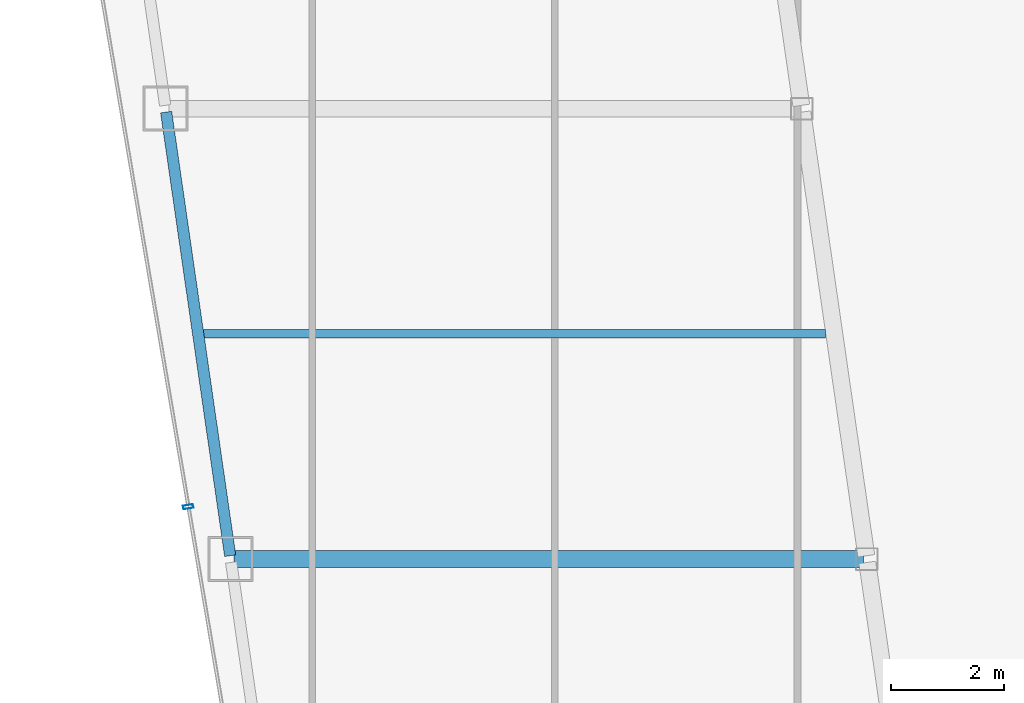
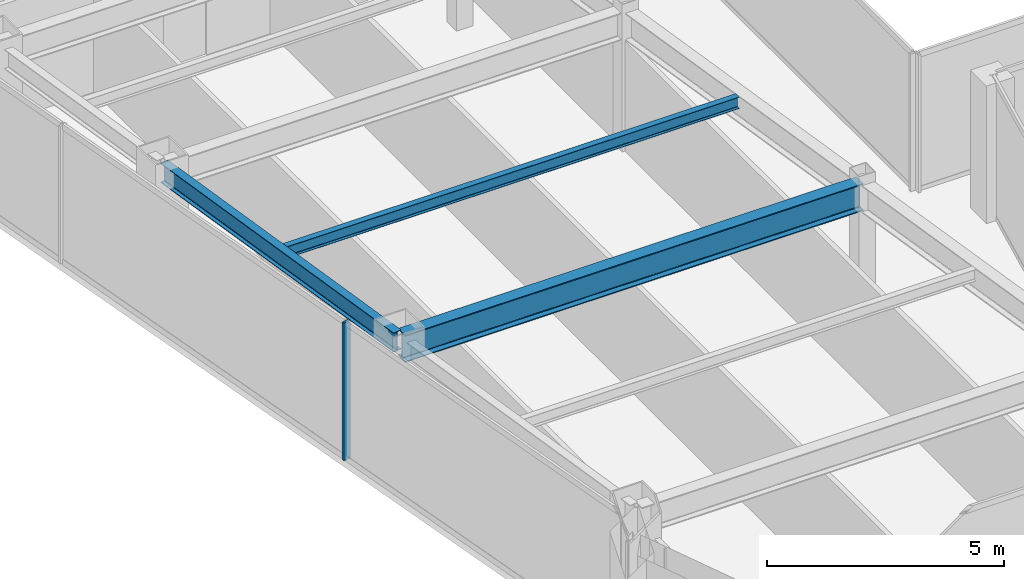
# One storey, part 5 of 36: 3 beams, 1 member, 1 element without a shape of its own.
"""IFC4 building model written with IfcOpenShell, lengths in metres."""

from ifc_helpers import new_model, si_unit, direction, frame, origin, origin_2d, place, context, subcontext, project, spatial, hollow_rectangle, i_section, extrude, material, material_profile, profile_set, type_object, element, aggregate, save


model = new_model("IFC4")

# Units and contexts
model_context = context("Model", 3, precision=1e-05, world=origin(), true_north=direction((0.0, 1.0)))
body_context = subcontext(model_context, "Body", "Model", "MODEL_VIEW")
ifc_project = project(units=[si_unit("LENGTHUNIT", "METRE"), si_unit("AREAUNIT", "SQUARE_METRE"), si_unit("VOLUMEUNIT", "CUBIC_METRE"), si_unit("PLANEANGLEUNIT", "RADIAN"), si_unit("MASSUNIT", "GRAM", prefix="KILO")], contexts=[model_context])

# Site, building, storey
site_placement = place(None, origin())
site = spatial("IfcSite", under=ifc_project, at=site_placement, CompositionType="ELEMENT")
building_placement = place(site_placement, origin())
building = spatial("IfcBuilding", under=site, at=building_placement, Name="Saevonmaru Cultural Tower", CompositionType="ELEMENT")
storey_placement = place(building_placement, frame((0.0, 0.0, 198.0)))
storey = spatial("IfcBuildingStorey", under=building, at=storey_placement, Name="L45", CompositionType="ELEMENT", Elevation=198.0)

# Beams
ifc_material_1 = material(Name="Steel SM355", Category="steel")
ifc_material_profile_1 = material_profile(ifc_material_1, i_section(OverallWidth=0.300048828125, OverallDepth=0.699951171875, WebThickness=0.012939453125, FlangeThickness=0.02392578125, FilletRadius=0.02587890625, at=origin_2d()), Name="H-700x300x13x24")
ifc_profile_set_1 = profile_set([ifc_material_profile_1], Name="Steel SM355")
beam_type_1 = type_object("IfcBeamType", Name="BM-G-H700", PredefinedType="BEAM", material=ifc_profile_set_1)
beam_1_placement = place(storey_placement, frame((9.531982421875, 24.0, 3.199951171875), z_axis=(1.0, 0.0, 0.0), x_axis=(0.0, 1.0, 0.0)))
element("IfcBeam", 1, at=beam_1_placement, inside=storey, type_object=beam_type_1, Name="L45 West Wing Transverse Girder 2", PredefinedType="BEAM", context=body_context, shape_type="SweptSolid", body=[
    extrude(i_section(OverallWidth=0.300048828125, OverallDepth=0.699951171875, WebThickness=0.012939453125, FlangeThickness=0.02392578125, FilletRadius=0.02587890625, at=origin_2d()), origin(), (0.0, 0.0, 1.0), 11.179931640625),
])
ifc_material_profile_2 = material_profile(ifc_material_1, i_section(OverallWidth=0.14990234375, OverallDepth=0.300048828125, WebThickness=0.006591796875, FlangeThickness=0.009033203125, FilletRadius=0.012939453125, at=origin_2d()), Name="H-300x150x6.5x9")
ifc_profile_set_2 = profile_set([ifc_material_profile_2], Name="Steel SM355")
beam_type_2 = type_object("IfcBeamType", Name="BM-J-H300", PredefinedType="JOIST", material=ifc_profile_set_2)
beam_2_placement = place(storey_placement, frame((8.95458984375, 28.0, 3.39990234375), z_axis=(1.0, 0.0, 0.0), x_axis=(0.0, 1.0, 0.0)))
element("IfcBeam", 2, at=beam_2_placement, inside=storey, type_object=beam_type_2, Name="L45 West Wing Floor Joist 2", PredefinedType="JOIST", context=body_context, shape_type="SweptSolid", body=[
    extrude(i_section(OverallWidth=0.14990234375, OverallDepth=0.300048828125, WebThickness=0.006591796875, FlangeThickness=0.009033203125, FilletRadius=0.012939453125, at=origin_2d()), origin(), (0.0, 0.0, 1.0), 11.08203125),
])
ifc_material_profile_3 = material_profile(ifc_material_1, i_section(OverallWidth=0.199951171875, OverallDepth=0.5, WebThickness=0.010009765625, FlangeThickness=0.01611328125, FilletRadius=0.02001953125, at=origin_2d()), Name="H-500x200x10x16")
ifc_profile_set_3 = profile_set([ifc_material_profile_3], Name="Steel SM355")
beam_type_3 = type_object("IfcBeamType", Name="BM-SP-H500", PredefinedType="SPANDREL", material=ifc_profile_set_3)
beam_3_placement = place(storey_placement, frame((9.46337890625, 24.059326171875, 3.300048828125), z_axis=(-0.142871999001, 0.989741174197, 0.0), x_axis=(-0.989741174197, -0.142871999001, 0.0)))
element("IfcBeam", 3, at=beam_3_placement, inside=storey, type_object=beam_type_3, Name="L45 West Splayed Spandrel 2", PredefinedType="SPANDREL", context=body_context, shape_type="SweptSolid", body=[
    extrude(i_section(OverallWidth=0.199951171875, OverallDepth=0.5, WebThickness=0.010009765625, FlangeThickness=0.01611328125, FilletRadius=0.02001953125, at=origin_2d()), origin(), (0.0, 0.0, 1.0), 7.963134765625),
])

# Curtain wall, member
ifc_material_2 = material(Name="Satin Bronze Anodised Aluminium", Category="aluminium")
curtain_wall_type = type_object("IfcCurtainWallType", Name="CW-TYP-B", PredefinedType="NOTDEFINED", material=ifc_material_2)
curtain_wall_placement = place(storey_placement, origin())
curtain_wall = element("IfcCurtainWall", 4, at=curtain_wall_placement, inside=storey, type_object=curtain_wall_type, Name="L45 Unitised Curtain Wall E12", PredefinedType="NOTDEFINED")
ifc_material_profile_4 = material_profile(ifc_material_2, hollow_rectangle(XDim=0.06494140625, YDim=0.179931640625, WallThickness=0.00390625, at=origin_2d()), Name="ALU-MULL-180x65x4")
ifc_profile_set_4 = profile_set([ifc_material_profile_4], Name="Satin Bronze Anodised Aluminium")
member_type = type_object("IfcMemberType", Name="ML-CW-180x65", PredefinedType="MULLION", material=ifc_profile_set_4)
member_placement = place(storey_placement, frame((8.71826171875, 24.9296875, 0.0), z_axis=(0.0, 0.0, 1.0), x_axis=(0.16692169721, -0.985970155228, 0.0)))
member = element("IfcMember", 5, at=member_placement, type_object=member_type, Name="CW-TW-L45-E12 mullion 4", PredefinedType="MULLION", context=body_context, shape_type="SweptSolid", body=[
    extrude(hollow_rectangle(XDim=0.06494140625, YDim=0.179931640625, WallThickness=0.00390625, at=origin_2d()), origin(), (0.0, 0.0, 1.0), 3.550048828125),
])
aggregate(curtain_wall, [member])

save(model, "model.ifc")
